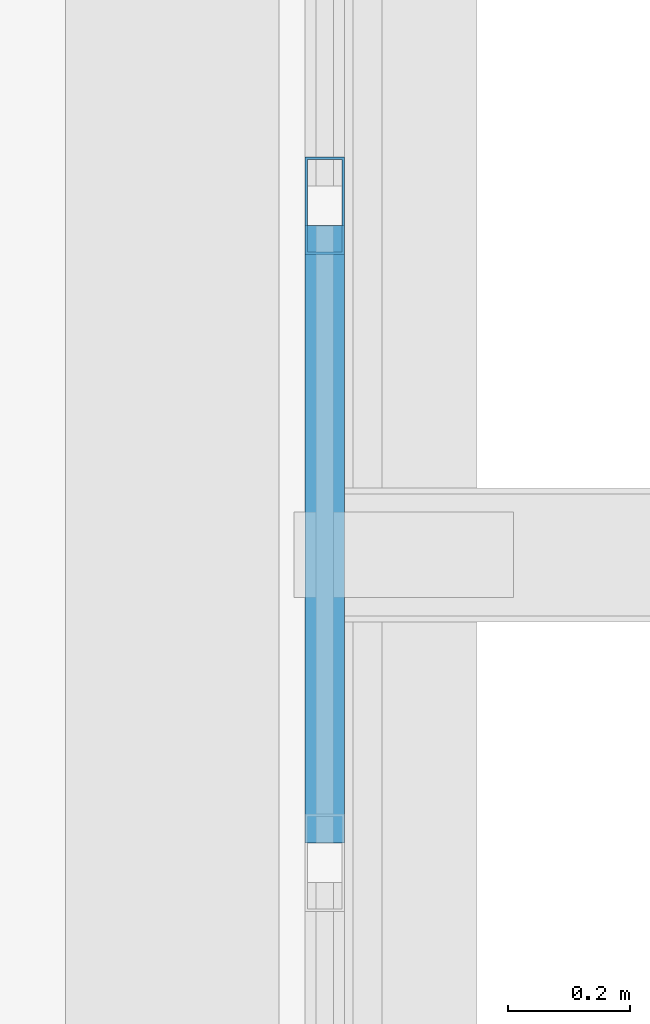
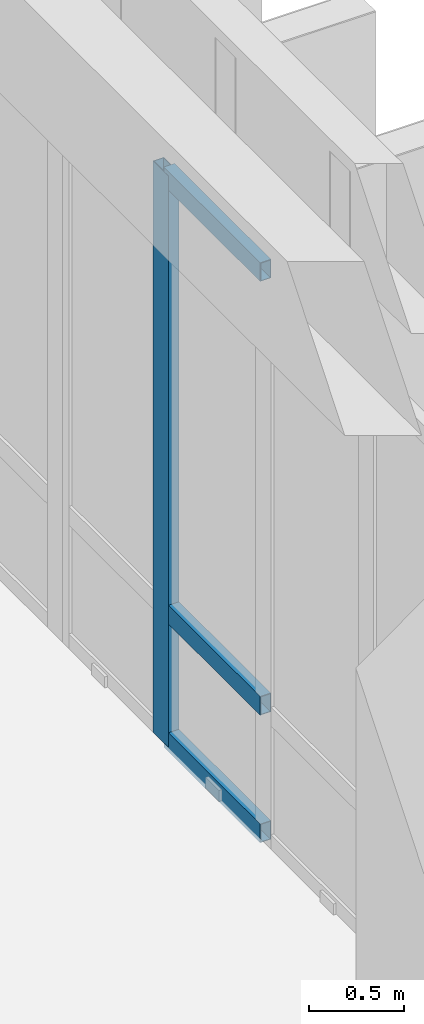
# One storey, part 66 of 133: 4 members, 1 element without a shape of its own.
"""IFC4 building model written with IfcOpenShell, lengths in metres."""

from ifc_helpers import new_model, si_unit, direction, frame, origin, origin_2d, place, context, subcontext, project, spatial, hollow_rectangle, extrude, material, layer, layer_set, material_profile, profile_set, type_object, element, aggregate, save


model = new_model("IFC4")

# Units and contexts
model_context = context("Model", 3, precision=1e-05, world=origin(), true_north=direction((0.0, 1.0)))
body_context = subcontext(model_context, "Body", "Model", "MODEL_VIEW")
ifc_project = project(units=[si_unit("LENGTHUNIT", "METRE"), si_unit("AREAUNIT", "SQUARE_METRE"), si_unit("VOLUMEUNIT", "CUBIC_METRE"), si_unit("PLANEANGLEUNIT", "RADIAN"), si_unit("MASSUNIT", "GRAM", prefix="KILO")], contexts=[model_context])

# Site, building, storey
site_placement = place(None, origin())
site = spatial("IfcSite", under=ifc_project, at=site_placement, CompositionType="ELEMENT")
building_placement = place(site_placement, origin())
building = spatial("IfcBuilding", under=site, at=building_placement, Name="Nakhvara Creek Congress Hotel", CompositionType="ELEMENT")
storey_placement = place(building_placement, frame((0.0, 0.0, 11.39990234375)))
storey = spatial("IfcBuildingStorey", under=building, at=storey_placement, Name="L02", CompositionType="ELEMENT", Elevation=11.39990234375)

# Curtain wall, members
ifc_material_1 = material(Name="Bronze-anodised aluminium AW-6063-T6 and double-silver low-E glass", Category="aluminium")
ifc_layer = layer(ifc_material_1, 0.199951171875)
ifc_layer_set = layer_set([ifc_layer], Name="Bronze-anodised aluminium AW-6063-T6 and double-silver low-E glass")
curtain_wall_type = type_object("IfcCurtainWallType", Name="CW-HTL-UNIT", PredefinedType="USERDEFINED", material=ifc_layer_set)
curtain_wall_placement = place(storey_placement, origin())
curtain_wall = element("IfcCurtainWall", 1, at=curtain_wall_placement, inside=storey, type_object=curtain_wall_type, Name="Curtain Wall CW136", ObjectType="UNITISED", PredefinedType="USERDEFINED")
ifc_material_2 = material(Name="Bronze-anodised aluminium AW-6063-T6", Category="aluminium")
ifc_material_profile_1 = material_profile(ifc_material_2, hollow_rectangle(XDim=0.06494140625, YDim=0.159912109375, WallThickness=0.00390625, at=origin_2d()), Name="ALU-MULL 65x160x4", Category="LoadBearing")
ifc_profile_set_1 = profile_set([ifc_material_profile_1], Name="Bronze-anodised aluminium AW-6063-T6")
member_type_1 = type_object("IfcMemberType", Name="CW-MULL-160", PredefinedType="MULLION", material=ifc_profile_set_1)
member_1_placement = place(storey_placement, frame((179.60009765625, 61.322509765625, 0.0), z_axis=(0.0, 0.0, 1.0), x_axis=(1.0, 0.0, 0.0)))
member_1 = element("IfcMember", 2, at=member_1_placement, type_object=member_type_1, Name="CW136 mullion 2", PredefinedType="MULLION", context=body_context, shape_type="SweptSolid", body=[
    extrude(hollow_rectangle(XDim=0.06494140625, YDim=0.159912109375, WallThickness=0.00390625, at=origin_2d()), origin(), (0.0, 0.0, 1.0), 3.662109375),
])
ifc_material_profile_2 = material_profile(ifc_material_2, hollow_rectangle(XDim=0.06494140625, YDim=0.1201171875, WallThickness=0.00390625, at=origin_2d()), Name="ALU-TRAN 65x120x4", Category="LoadBearing")
ifc_profile_set_2 = profile_set([ifc_material_profile_2], Name="Bronze-anodised aluminium AW-6063-T6")
member_type_2 = type_object("IfcMemberType", Name="CW-TRAN-120", PredefinedType="USERDEFINED", material=ifc_profile_set_2)
member_2_placement = place(storey_placement, frame((179.60009765625, 61.2900390625, 0.03271484375), z_axis=(0.0, -1.0, 0.0), x_axis=(1.0, 0.0, 0.0)))
member_2 = element("IfcMember", 3, at=member_2_placement, type_object=member_type_2, Name="CW136 transom 2.1", ObjectType="TRANSOM", PredefinedType="USERDEFINED", context=body_context, shape_type="SweptSolid", body=[
    extrude(hollow_rectangle(XDim=0.06494140625, YDim=0.1201171875, WallThickness=0.00390625, at=origin_2d()), origin(), (0.0, 0.0, 1.0), 1.012451171875),
])
member_3_placement = place(storey_placement, frame((179.60009765625, 61.2900390625, 0.85009765625), z_axis=(0.0, -1.0, 0.0), x_axis=(1.0, 0.0, 0.0)))
member_3 = element("IfcMember", 4, at=member_3_placement, type_object=member_type_2, Name="CW136 transom 2.2", ObjectType="TRANSOM", PredefinedType="USERDEFINED", context=body_context, shape_type="SweptSolid", body=[
    extrude(hollow_rectangle(XDim=0.06494140625, YDim=0.1201171875, WallThickness=0.00390625, at=origin_2d()), origin(), (0.0, 0.0, 1.0), 1.012451171875),
])
member_4_placement = place(storey_placement, frame((179.60009765625, 61.2900390625, 3.629638671875), z_axis=(0.0, -1.0, 0.0), x_axis=(1.0, 0.0, 0.0)))
member_4 = element("IfcMember", 5, at=member_4_placement, type_object=member_type_2, Name="CW136 transom 2.3", ObjectType="TRANSOM", PredefinedType="USERDEFINED", context=body_context, shape_type="SweptSolid", body=[
    extrude(hollow_rectangle(XDim=0.06494140625, YDim=0.1201171875, WallThickness=0.00390625, at=origin_2d()), origin(), (0.0, 0.0, 1.0), 1.012451171875),
])
aggregate(curtain_wall, [member_1, member_2, member_3, member_4])

save(model, "model.ifc")
